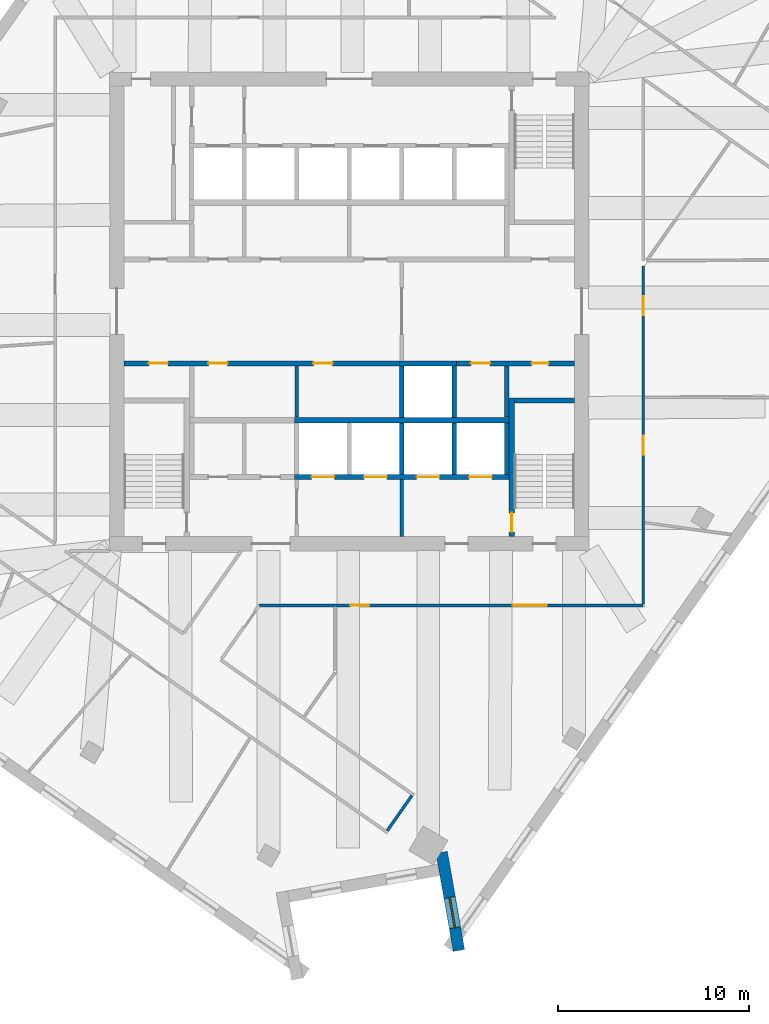
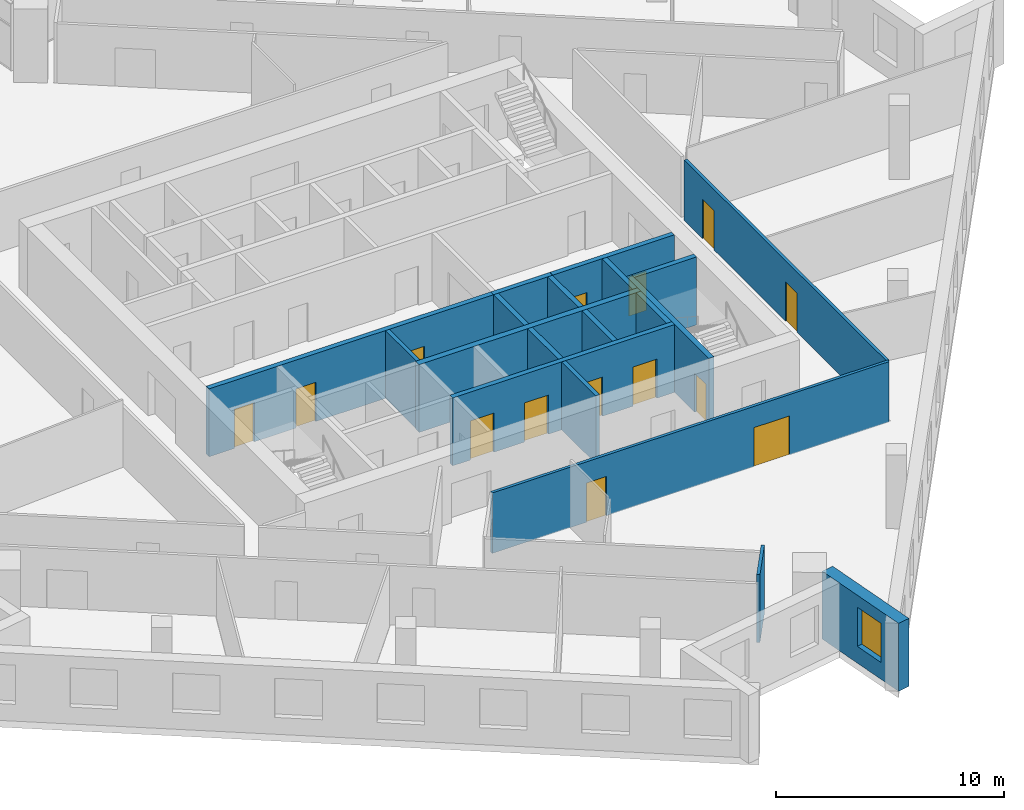
# One storey, part 7 of 13: 19 walls, 14 doors, 1 window, 15 openings.
"""IFC4 building model written with IfcOpenShell, lengths in metres."""

import ifcopenshell
import ifcopenshell.guid

model = None  # the IFC model being written
_history = None  # IfcOwnerHistory: only IFC2X3 demands one
_inside = {}  # id of a spatial element -> (the spatial element, [elements in it])
_under = {}  # id of a project, library or spatial element -> (it, [spatial elements below it])
_declared = {}  # id of a project -> (the project, [libraries it declares])
_typed = {}  # id of a type object -> (the type object, [elements of that type])
_made_of = {}  # id of a material, layer set ... -> (it, [elements and type objects made of it])


def new_model(schema):
    """Start an empty IFC model of exactly this schema.

    Asked for "IFC4X3", IfcOpenShell would pick the latest addendum, in which some entities
    have other attributes; the version numbers below select the first issue.
    IFC2X3 requires an IfcOwnerHistory on every rooted entity: one is made here for all.
    """
    global model, _history
    if schema == "IFC4X3":
        model = ifcopenshell.file(schema_version=(4, 3, 0, 0))
    else:
        model = ifcopenshell.file(schema=schema)
    _inside.clear()
    _under.clear()
    _declared.clear()
    _typed.clear()
    _made_of.clear()
    _history = None
    if model.schema == "IFC2X3":
        org = make("IfcOrganization", Name="unknown")
        user = make(
            "IfcPersonAndOrganization",
            ThePerson=make("IfcPerson", FamilyName="unknown"),
            TheOrganization=org,
        )
        app = make(
            "IfcApplication",
            ApplicationDeveloper=org,
            Version="unknown",
            ApplicationFullName="unknown",
            ApplicationIdentifier="unknown",
        )
        _history = make(
            "IfcOwnerHistory",
            OwningUser=user,
            OwningApplication=app,
            ChangeAction="ADDED",
            CreationDate=0,
        )
    return model


def make(cls, **values):
    """One entity of the class cls with the attributes given. An attribute that is None is left unset."""
    return model.create_entity(
        cls, **{name: value for name, value in values.items() if value is not None}
    )


def rooted(cls, **values):
    """An entity with a GlobalId (a new one), such as an element, a storey or a relation."""
    return make(cls, GlobalId=ifcopenshell.guid.new(), OwnerHistory=_history, **values)


def si_unit(unit_type, name, prefix=None):
    """IfcSIUnit, for example si_unit("LENGTHUNIT", "METRE", prefix="MILLI")."""
    return make("IfcSIUnit", UnitType=unit_type, Prefix=prefix, Name=name)


def assignment(units):
    """IfcUnitAssignment: the units of a project."""
    return None if units is None else make("IfcUnitAssignment", Units=units)


def point(xyz):
    """IfcCartesianPoint."""
    return None if xyz is None else make("IfcCartesianPoint", Coordinates=xyz)


def direction(xyz):
    """IfcDirection."""
    return None if xyz is None else make("IfcDirection", DirectionRatios=xyz)


def frame(location, z_axis=None, x_axis=None):
    """IfcAxis2Placement3D, a coordinate frame: its origin and axes. An axis left out is left unset."""
    return make(
        "IfcAxis2Placement3D",
        Location=point(location),
        Axis=direction(z_axis),
        RefDirection=direction(x_axis),
    )


def frame_2d(location, x_axis=None):
    """IfcAxis2Placement2D, a coordinate frame in the plane: its origin and x axis."""
    return make(
        "IfcAxis2Placement2D", Location=point(location), RefDirection=direction(x_axis)
    )


def origin():
    """The frame at (0, 0, 0) with its axes left unset."""
    return frame((0.0, 0.0, 0.0))


def place(relative_to, where):
    """IfcLocalPlacement: puts the frame where relative to a parent placement (None: the world)."""
    return make(
        "IfcLocalPlacement", PlacementRelTo=relative_to, RelativePlacement=where
    )


def context(
    kind, dimensions, precision=None, world=None, true_north=None, identifier=None
):
    """IfcGeometricRepresentationContext, for example the 3D "Model" context."""
    return make(
        "IfcGeometricRepresentationContext",
        ContextIdentifier=identifier,
        ContextType=kind,
        CoordinateSpaceDimension=dimensions,
        Precision=precision,
        WorldCoordinateSystem=world,
        TrueNorth=true_north,
    )


def subcontext(parent, identifier, kind, view, scale=None):
    """IfcGeometricRepresentationSubContext, for example "Body" below "Model"."""
    return make(
        "IfcGeometricRepresentationSubContext",
        ContextIdentifier=identifier,
        ContextType=kind,
        ParentContext=parent,
        TargetScale=scale,
        TargetView=view,
    )


def project(units=None, contexts=None):
    """IfcProject with its units and contexts."""
    return rooted(
        "IfcProject",
        Name="project",
        RepresentationContexts=contexts,
        UnitsInContext=assignment(units),
    )


def spatial(cls, under=None, at=None, **own):
    """A site, building, storey or space (cls), placed at a placement, below another one or the project."""
    s = rooted(cls, ObjectPlacement=at, **own)
    if under is not None:
        _under.setdefault(under.id(), (under, []))[1].append(s)
    return s


def profile(cls, at=None, kind="AREA", **sizes):
    """A parametric profile (cls). Its sizes go by their IFC names, for example OverallWidth=200.0."""
    return make(cls, ProfileType=kind, Position=at, **sizes)


def rectangle(**sizes):
    """IfcRectangleProfileDef."""
    return profile("IfcRectangleProfileDef", **sizes)


def extrude(swept, where, along, depth):
    """IfcExtrudedAreaSolid: the profile swept, set in the frame where, extruded along a direction by depth."""
    return make(
        "IfcExtrudedAreaSolid",
        SweptArea=swept,
        Position=where,
        ExtrudedDirection=direction(along),
        Depth=depth,
    )


def shape(context_of_items, identifier, shape_type, items):
    """IfcShapeRepresentation: the items that make up one representation, for example the "Body"."""
    return make(
        "IfcShapeRepresentation",
        ContextOfItems=context_of_items,
        RepresentationIdentifier=identifier,
        RepresentationType=shape_type,
        Items=items,
    )


def material(Name=None, Category=None):
    """IfcMaterial."""
    return make("IfcMaterial", Name=Name, Category=Category)


def layer(
    of_material, thickness, ventilated=None, Name=None, Category=None, Priority=None
):
    """IfcMaterialLayer: one layer of a wall or slab, of a material (None: an air gap)."""
    return make(
        "IfcMaterialLayer",
        Material=of_material,
        LayerThickness=thickness,
        IsVentilated=ventilated,
        Name=Name,
        Category=Category,
        Priority=Priority,
    )


def layer_set(layers, Name=None):
    """IfcMaterialLayerSet."""
    return make("IfcMaterialLayerSet", MaterialLayers=layers, LayerSetName=Name)


def made_of(thing, what):
    """Note that an element or type object is made of a material, layer set ...; save() writes the relation."""
    if what is not None:
        _made_of.setdefault(what.id(), (what, []))[1].append(thing)
    return thing


def type_object(cls, material=None, **own):
    """A type object (cls), such as IfcWallType, which elements share."""
    return made_of(rooted(cls, **own), material)


def element(
    cls,
    number,
    at=None,
    inside=None,
    cuts=None,
    type_object=None,
    material=None,
    context=None,
    identifier="Body",
    shape_type=None,
    held_by="IfcProductDefinitionShape",
    body=None,
    shapes=None,
    **own,
):
    """One element of the class cls, such as IfcWall. Its Tag is "e" and its number.

    at: its placement. inside: the storey or other place that contains it. cuts: it is an
    opening in that element (IfcRelVoidsElement). A single representation is given by context,
    identifier, shape_type and body (its items); several are given by shapes. held_by: the class
    of the entity that holds the representations. save() writes the other relations.
    """
    e = rooted(cls, Tag="e%d" % number, ObjectPlacement=at, **own)
    if body is not None:
        shapes = [shape(context, identifier, shape_type, body)]
    if shapes is not None:
        e.Representation = make(held_by, Representations=shapes)
    if inside is not None:
        _inside.setdefault(inside.id(), (inside, []))[1].append(e)
    if cuts is not None:
        rooted(
            "IfcRelVoidsElement", RelatingBuildingElement=cuts, RelatedOpeningElement=e
        )
    if type_object is not None:
        _typed.setdefault(type_object.id(), (type_object, []))[1].append(e)
    return made_of(e, material)


def fill(opening, filler):
    """IfcRelFillsElement: the door or window that sits in an opening."""
    return rooted(
        "IfcRelFillsElement",
        RelatingOpeningElement=opening,
        RelatedBuildingElement=filler,
    )


def aggregate(whole, parts):
    """IfcRelAggregates: a whole, such as a stair, and the parts it consists of."""
    return rooted("IfcRelAggregates", RelatingObject=whole, RelatedObjects=parts)


def save(model, path):
    """Write the relations noted so far, then the file.

    IfcRelAggregates (storeys below a building ...), IfcRelContainedInSpatialStructure (elements
    in a storey), IfcRelDefinesByType, IfcRelAssociatesMaterial and IfcRelDeclares: one each for
    every whole, place, type object, material and project.
    """
    for whole, parts in _under.values():
        aggregate(whole, parts)
    for where, things in _inside.values():
        rooted(
            "IfcRelContainedInSpatialStructure",
            RelatedElements=things,
            RelatingStructure=where,
        )
    for kind, things in _typed.values():
        rooted("IfcRelDefinesByType", RelatedObjects=things, RelatingType=kind)
    for what, things in _made_of.values():
        rooted("IfcRelAssociatesMaterial", RelatedObjects=things, RelatingMaterial=what)
    for by, libraries in _declared.values():
        rooted("IfcRelDeclares", RelatingContext=by, RelatedDefinitions=libraries)
    model.write(path)


model = new_model("IFC4")

# Units and contexts
model_context = context("Model", 3, precision=1e-05, world=origin(), true_north=direction((0.0, 1.0)))
body_context = subcontext(model_context, "Body", "Model", "MODEL_VIEW")
ifc_project = project(units=[si_unit("LENGTHUNIT", "METRE"), si_unit("AREAUNIT", "SQUARE_METRE"), si_unit("VOLUMEUNIT", "CUBIC_METRE"), si_unit("PLANEANGLEUNIT", "RADIAN"), si_unit("MASSUNIT", "GRAM", prefix="KILO")], contexts=[model_context])

# Site, building, storey
site_placement = place(None, origin())
site = spatial("IfcSite", under=ifc_project, at=site_placement, CompositionType="ELEMENT")
building_placement = place(site_placement, origin())
building = spatial("IfcBuilding", under=site, at=building_placement, Name="Dilmun Exchange Tower", CompositionType="ELEMENT")
storey_placement = place(building_placement, frame((0.0, 0.0, 242.89990234375)))
storey = spatial("IfcBuildingStorey", under=building, at=storey_placement, Name="L57", CompositionType="ELEMENT", Elevation=242.89990234375)

# Walls
ifc_material_1 = material(Name="Concrete C40/50", Category="concrete")
ifc_layer_1 = layer(ifc_material_1, 0.199951171875)
ifc_layer_set_1 = layer_set([ifc_layer_1], Name="Concrete C40/50")
wall_type_1 = type_object("IfcWallType", Name="Core partition wall 200", PredefinedType="PARTITIONING", material=ifc_layer_set_1)
wall_1_placement = place(storey_placement, frame((2.75, -11.794921875, 0.0), z_axis=(0.0, 0.0, 1.0), x_axis=(0.0, 1.0, 0.0)))
element("IfcWall", 1, at=wall_1_placement, inside=storey, type_object=wall_type_1, Name="L57 core partition wall 02", PredefinedType="PARTITIONING", context=body_context, shape_type="SweptSolid", body=[
    extrude(rectangle(XDim=2.989990234375, YDim=0.199951171875, at=frame_2d((1.4951171875, 0.0))), origin(), (0.0, 0.0, 1.0), 3.64013671875),
])
wall_2_placement = place(storey_placement, frame((-2.75, -5.544921875, 0.0), z_axis=(0.0, 0.0, 1.0), x_axis=(0.0, 1.0, 0.0)))
element("IfcWall", 2, at=wall_2_placement, inside=storey, type_object=wall_type_1, Name="L57 core partition wall 08", PredefinedType="PARTITIONING", context=body_context, shape_type="SweptSolid", body=[
    extrude(rectangle(XDim=2.68994140625, YDim=0.199951171875, at=frame_2d((1.344970703125, 0.0))), origin(), (0.0, 0.0, 1.0), 3.64013671875),
])
ifc_layer_2 = layer(ifc_material_1, 0.25)
ifc_layer_set_2 = layer_set([ifc_layer_2], Name="Concrete C40/50")
wall_type_2 = type_object("IfcWallType", Name="Core partition wall 250", PredefinedType="PARTITIONING", material=ifc_layer_set_2)
wall_3_placement = place(storey_placement, frame((8.25, -5.544921875, 0.0), z_axis=(0.0, 0.0, 1.0), x_axis=(0.0, 1.0, 0.0)))
element("IfcWall", 3, at=wall_3_placement, inside=storey, type_object=wall_type_2, Name="L57 core partition wall 09", PredefinedType="PARTITIONING", context=body_context, shape_type="SweptSolid", body=[
    extrude(rectangle(XDim=2.68994140625, YDim=0.25, at=frame_2d((1.344970703125, 0.0))), origin(), (0.0, 0.0, 1.0), 3.64013671875),
])

# Wall, openings, doors
wall_4_placement = place(storey_placement, frame((-11.794921875, -2.72509765625, 0.0), z_axis=(0.0, 0.0, 1.0), x_axis=(1.0, 0.0, 0.0)))
wall_4 = element("IfcWall", 4, at=wall_4_placement, inside=storey, type_object=wall_type_2, Name="L57 core partition wall 10", PredefinedType="PARTITIONING", context=body_context, shape_type="SweptSolid", body=[
    extrude(rectangle(XDim=14.4150390625, YDim=0.25, at=frame_2d((7.20751953125, 0.0))), origin(), (0.0, 0.0, 1.0), 3.64013671875),
])
opening_1_placement = place(wall_4_placement, frame((1.294921875, 0.0, 0.0)))
opening_1 = element("IfcOpeningElement", 5, at=opening_1_placement, cuts=wall_4, Name="Opening CD4", PredefinedType="OPENING", context=body_context, shape_type="SweptSolid", body=[
    extrude(rectangle(XDim=1.0, YDim=2.10009765625, at=frame_2d((0.5, 1.050048828125))), frame((0.0, 0.135009765625, 0.0), z_axis=(0.0, -1.0, 0.0), x_axis=(1.0, 0.0, 0.0)), (0.0, 0.0, 1.0), 0.27001953125),
])
opening_2_placement = place(wall_4_placement, frame((4.419921875, 0.0, 0.0)))
opening_2 = element("IfcOpeningElement", 6, at=opening_2_placement, cuts=wall_4, Name="Opening CD4", PredefinedType="OPENING", context=body_context, shape_type="SweptSolid", body=[
    extrude(rectangle(XDim=1.0, YDim=2.10009765625, at=frame_2d((0.5, 1.050048828125))), frame((0.0, 0.135009765625, 0.0), z_axis=(0.0, -1.0, 0.0), x_axis=(1.0, 0.0, 0.0)), (0.0, 0.0, 1.0), 0.27001953125),
])
opening_3_placement = place(wall_4_placement, frame((9.919921875, 0.0, 0.0)))
opening_3 = element("IfcOpeningElement", 7, at=opening_3_placement, cuts=wall_4, Name="Opening CD4", PredefinedType="OPENING", context=body_context, shape_type="SweptSolid", body=[
    extrude(rectangle(XDim=1.0, YDim=2.10009765625, at=frame_2d((0.5, 1.050048828125))), frame((0.0, 0.135009765625, 0.0), z_axis=(0.0, -1.0, 0.0), x_axis=(1.0, 0.0, 0.0)), (0.0, 0.0, 1.0), 0.27001953125),
])
ifc_material_2 = material(Name="Fire-rated steel door set", Category="steel")
door_type_1 = type_object("IfcDoorType", Name="Core room door 1000x2100", OperationType="SINGLE_SWING_LEFT", PredefinedType="DOOR", material=ifc_material_2)
door_1_placement = place(opening_1_placement, origin())
door_1 = element("IfcDoor", 8, at=door_1_placement, inside=storey, type_object=door_type_1, Name="L57 door Accessible WC", OperationType="SINGLE_SWING_RIGHT", OverallHeight=2.10009765625, OverallWidth=1.0, PredefinedType="DOOR", context=body_context, shape_type="SweptSolid", body=[
    extrude(rectangle(XDim=1.0, YDim=2.10009765625, at=frame_2d((0.5, 1.050048828125))), frame((0.0, 0.02490234375, 0.0), z_axis=(0.0, -1.0, 0.0), x_axis=(1.0, 0.0, 0.0)), (0.0, 0.0, 1.0), 0.050048828125),
])
fill(opening_1, door_1)
door_2_placement = place(opening_2_placement, origin())
door_2 = element("IfcDoor", 9, at=door_2_placement, inside=storey, type_object=door_type_1, Name="L57 door Mechanical room", OperationType="SINGLE_SWING_RIGHT", OverallHeight=2.10009765625, OverallWidth=1.0, PredefinedType="DOOR", context=body_context, shape_type="SweptSolid", body=[
    extrude(rectangle(XDim=1.0, YDim=2.10009765625, at=frame_2d((0.5, 1.050048828125))), frame((0.0, 0.02490234375, 0.0), z_axis=(0.0, -1.0, 0.0), x_axis=(1.0, 0.0, 0.0)), (0.0, 0.0, 1.0), 0.050048828125),
])
fill(opening_2, door_2)
door_3_placement = place(opening_3_placement, origin())
door_3 = element("IfcDoor", 10, at=door_3_placement, inside=storey, type_object=door_type_1, Name="L57 door Tenant services room", OperationType="SINGLE_SWING_RIGHT", OverallHeight=2.10009765625, OverallWidth=1.0, PredefinedType="DOOR", context=body_context, shape_type="SweptSolid", body=[
    extrude(rectangle(XDim=1.0, YDim=2.10009765625, at=frame_2d((0.5, 1.050048828125))), frame((0.0, 0.02490234375, 0.0), z_axis=(0.0, -1.0, 0.0), x_axis=(1.0, 0.0, 0.0)), (0.0, 0.0, 1.0), 0.050048828125),
])
fill(opening_3, door_3)

wall_5_placement = place(storey_placement, frame((5.6298828125, -2.72509765625, 0.0), z_axis=(0.0, 0.0, 1.0), x_axis=(1.0, 0.0, 0.0)))
wall_5 = element("IfcWall", 11, at=wall_5_placement, inside=storey, type_object=wall_type_2, Name="L57 core partition wall 11", PredefinedType="PARTITIONING", context=body_context, shape_type="SweptSolid", body=[
    extrude(rectangle(XDim=6.1650390625, YDim=0.25, at=frame_2d((3.08251953125, 0.0))), origin(), (0.0, 0.0, 1.0), 3.64013671875),
])
opening_4_placement = place(wall_5_placement, frame((0.7451171875, 0.0, 0.0)))
opening_4 = element("IfcOpeningElement", 12, at=opening_4_placement, cuts=wall_5, Name="Opening CD4", PredefinedType="OPENING", context=body_context, shape_type="SweptSolid", body=[
    extrude(rectangle(XDim=1.0, YDim=2.10009765625, at=frame_2d((0.5, 1.050048828125))), frame((0.0, 0.135009765625, 0.0), z_axis=(0.0, -1.0, 0.0), x_axis=(1.0, 0.0, 0.0)), (0.0, 0.0, 1.0), 0.27001953125),
])
opening_5_placement = place(wall_5_placement, frame((3.919921875, 0.0, 0.0)))
opening_5 = element("IfcOpeningElement", 13, at=opening_5_placement, cuts=wall_5, Name="Opening CD6", PredefinedType="OPENING", context=body_context, shape_type="SweptSolid", body=[
    extrude(rectangle(XDim=0.89990234375, YDim=2.10009765625, at=frame_2d((0.449951171875, 1.050048828125))), frame((0.0, 0.135009765625, 0.0), z_axis=(0.0, -1.0, 0.0), x_axis=(1.0, 0.0, 0.0)), (0.0, 0.0, 1.0), 0.27001953125),
])
door_4_placement = place(opening_4_placement, origin())
door_4 = element("IfcDoor", 14, at=door_4_placement, inside=storey, type_object=door_type_1, Name="L57 door Cleaners' store", OperationType="SINGLE_SWING_RIGHT", OverallHeight=2.10009765625, OverallWidth=1.0, PredefinedType="DOOR", context=body_context, shape_type="SweptSolid", body=[
    extrude(rectangle(XDim=1.0, YDim=2.10009765625, at=frame_2d((0.5, 1.050048828125))), frame((0.0, 0.02490234375, 0.0), z_axis=(0.0, -1.0, 0.0), x_axis=(1.0, 0.0, 0.0)), (0.0, 0.0, 1.0), 0.050048828125),
])
fill(opening_4, door_4)
door_type_2 = type_object("IfcDoorType", Name="Core room door 900x2100", OperationType="SINGLE_SWING_LEFT", PredefinedType="DOOR", material=ifc_material_2)
door_5_placement = place(opening_5_placement, origin())
door_5 = element("IfcDoor", 15, at=door_5_placement, inside=storey, type_object=door_type_2, Name="L57 door Comms riser", OperationType="SINGLE_SWING_RIGHT", OverallHeight=2.10009765625, OverallWidth=0.89990234375, PredefinedType="DOOR", context=body_context, shape_type="SweptSolid", body=[
    extrude(rectangle(XDim=0.89990234375, YDim=2.10009765625, at=frame_2d((0.449951171875, 1.050048828125))), frame((0.0, 0.02490234375, 0.0), z_axis=(0.0, -1.0, 0.0), x_axis=(1.0, 0.0, 0.0)), (0.0, 0.0, 1.0), 0.050048828125),
])
fill(opening_5, door_5)

ifc_material_3 = material(Name="Corridor wall 150")
ifc_layer_3 = layer(ifc_material_3, 0.14990234375)
ifc_layer_set_3 = layer_set([ifc_layer_3], Name="Corridor wall 150")
wall_type_3 = type_object("IfcWallType", Name="Corridor wall 150", PredefinedType="PARTITIONING", material=ifc_layer_set_3)
wall_6_placement = place(storey_placement, frame((-4.722900390625, -15.39990234375, 0.0), z_axis=(0.0, 0.0, 1.0), x_axis=(1.0, 0.0, 0.0)))
wall_6 = element("IfcWall", 16, at=wall_6_placement, inside=storey, type_object=wall_type_3, Name="Corridor wall", PredefinedType="PARTITIONING", context=body_context, shape_type="SweptSolid", body=[
    extrude(rectangle(XDim=20.122802734375, YDim=0.14990234375, at=frame_2d((10.0615234375, 0.0))), origin(), (0.0, 0.0, 1.0), 3.239990234375),
])
opening_6_placement = place(wall_6_placement, frame((13.28173828125, 0.0, 0.0)))
opening_6 = element("IfcOpeningElement", 17, at=opening_6_placement, cuts=wall_6, Name="Opening TF57-D10", PredefinedType="OPENING", context=body_context, shape_type="SweptSolid", body=[
    extrude(rectangle(XDim=1.800048828125, YDim=2.10009765625, at=frame_2d((0.89990234375, 1.050048828125))), frame((0.0, 0.0849609375, 0.0), z_axis=(0.0, -1.0, 0.0), x_axis=(1.0, 0.0, 0.0)), (0.0, 0.0, 1.0), 0.169921875),
])
opening_7_placement = place(wall_6_placement, frame((4.78173828125, 0.0, 0.0)))
opening_7 = element("IfcOpeningElement", 18, at=opening_7_placement, cuts=wall_6, Name="Opening TF57-D11", PredefinedType="OPENING", context=body_context, shape_type="SweptSolid", body=[
    extrude(rectangle(XDim=1.0, YDim=2.10009765625, at=frame_2d((0.5, 1.050048828125))), frame((0.0, 0.0849609375, 0.0), z_axis=(0.0, -1.0, 0.0), x_axis=(1.0, 0.0, 0.0)), (0.0, 0.0, 1.0), 0.169921875),
])
ifc_material_4 = material(Name="Fire door 1000 x 2100")
door_type_3 = type_object("IfcDoorType", Name="Fire door 1000 x 2100", OperationType="NOTDEFINED", PredefinedType="DOOR", material=ifc_material_4)
door_6_placement = place(opening_7_placement, frame((1.0, 0.0, 0.0), z_axis=(0.0, 0.0, 1.0), x_axis=(-1.0, 0.0, 0.0)))
door_6 = element("IfcDoor", 19, at=door_6_placement, inside=storey, type_object=door_type_3, Name="Door TF57-D11", OperationType="SINGLE_SWING_RIGHT", OverallHeight=2.10009765625, OverallWidth=1.0, PredefinedType="DOOR", context=body_context, shape_type="SweptSolid", body=[
    extrude(rectangle(XDim=1.0, YDim=2.10009765625, at=frame_2d((0.5, 1.050048828125))), frame((0.0, 0.02490234375, 0.0), z_axis=(0.0, -1.0, 0.0), x_axis=(1.0, 0.0, 0.0)), (0.0, 0.0, 1.0), 0.050048828125),
])
fill(opening_7, door_6)
ifc_material_5 = material(Name="Fire door pair 1800 x 2100")
door_type_4 = type_object("IfcDoorType", Name="Fire door pair 1800 x 2100", OperationType="NOTDEFINED", PredefinedType="DOOR", material=ifc_material_5)
door_7_placement = place(opening_6_placement, frame((1.800048828125, 0.0, 0.0), z_axis=(0.0, 0.0, 1.0), x_axis=(-1.0, 0.0, 0.0)))
door_7 = element("IfcDoor", 20, at=door_7_placement, inside=storey, type_object=door_type_4, Name="Door TF57-D10", OperationType="DOUBLE_DOOR_SINGLE_SWING", OverallHeight=2.10009765625, OverallWidth=1.800048828125, PredefinedType="DOOR", context=body_context, shape_type="SweptSolid", body=[
    extrude(rectangle(XDim=1.800048828125, YDim=2.10009765625, at=frame_2d((0.89990234375, 1.050048828125))), frame((0.0, 0.02490234375, 0.0), z_axis=(0.0, -1.0, 0.0), x_axis=(1.0, 0.0, 0.0)), (0.0, 0.0, 1.0), 0.050048828125),
])
fill(opening_6, door_7)

# Wall
wall_7_placement = place(storey_placement, frame((1.993896484375, -27.20751953125, 0.0), z_axis=(0.0, 0.0, 1.0), x_axis=(0.573440493702, 0.819247215548, 0.0)))
element("IfcWall", 21, at=wall_7_placement, inside=storey, type_object=wall_type_3, Name="Corridor wall", PredefinedType="PARTITIONING", context=body_context, shape_type="SweptSolid", body=[
    extrude(rectangle(XDim=2.249755859375, YDim=0.14990234375, at=frame_2d((1.125, 0.0))), origin(), (0.0, 0.0, 1.0), 3.64013671875),
])

# Wall, openings, doors
wall_8_placement = place(storey_placement, frame((15.39990234375, -15.324951171875, 0.0), z_axis=(0.0, 0.0, 1.0), x_axis=(0.0, 1.0, 0.0)))
wall_8 = element("IfcWall", 22, at=wall_8_placement, inside=storey, type_object=wall_type_3, Name="Corridor wall", PredefinedType="PARTITIONING", context=body_context, shape_type="SweptSolid", body=[
    extrude(rectangle(XDim=17.71484375, YDim=0.14990234375, at=frame_2d((8.857421875, 0.0))), origin(), (0.0, 0.0, 1.0), 3.239990234375),
])
opening_8_placement = place(wall_8_placement, frame((7.81201171875, 0.0, 0.0)))
opening_8 = element("IfcOpeningElement", 23, at=opening_8_placement, cuts=wall_8, Name="Opening TF57-D17", PredefinedType="OPENING", context=body_context, shape_type="SweptSolid", body=[
    extrude(rectangle(XDim=1.0, YDim=2.10009765625, at=frame_2d((0.5, 1.050048828125))), frame((0.0, 0.0849609375, 0.0), z_axis=(0.0, -1.0, 0.0), x_axis=(1.0, 0.0, 0.0)), (0.0, 0.0, 1.0), 0.169921875),
])
opening_9_placement = place(wall_8_placement, frame((15.12255859375, 0.0, 0.0)))
opening_9 = element("IfcOpeningElement", 24, at=opening_9_placement, cuts=wall_8, Name="Opening TF57-D18", PredefinedType="OPENING", context=body_context, shape_type="SweptSolid", body=[
    extrude(rectangle(XDim=1.0, YDim=2.10009765625, at=frame_2d((0.5, 1.050048828125))), frame((0.0, 0.0849609375, 0.0), z_axis=(0.0, -1.0, 0.0), x_axis=(1.0, 0.0, 0.0)), (0.0, 0.0, 1.0), 0.169921875),
])
door_8_placement = place(opening_8_placement, frame((1.0, 0.0, 0.0), z_axis=(0.0, 0.0, 1.0), x_axis=(-1.0, 0.0, 0.0)))
door_8 = element("IfcDoor", 25, at=door_8_placement, inside=storey, type_object=door_type_3, Name="Door TF57-D17", OperationType="SINGLE_SWING_RIGHT", OverallHeight=2.10009765625, OverallWidth=1.0, PredefinedType="DOOR", context=body_context, shape_type="SweptSolid", body=[
    extrude(rectangle(XDim=1.0, YDim=2.10009765625, at=frame_2d((0.5, 1.050048828125))), frame((0.0, 0.02490234375, 0.0), z_axis=(0.0, -1.0, 0.0), x_axis=(1.0, 0.0, 0.0)), (0.0, 0.0, 1.0), 0.050048828125),
])
fill(opening_8, door_8)
door_9_placement = place(opening_9_placement, frame((1.0, 0.0, 0.0), z_axis=(0.0, 0.0, 1.0), x_axis=(-1.0, 0.0, 0.0)))
door_9 = element("IfcDoor", 26, at=door_9_placement, inside=storey, type_object=door_type_3, Name="Door TF57-D18", OperationType="SINGLE_SWING_RIGHT", OverallHeight=2.10009765625, OverallWidth=1.0, PredefinedType="DOOR", context=body_context, shape_type="SweptSolid", body=[
    extrude(rectangle(XDim=1.0, YDim=2.10009765625, at=frame_2d((0.5, 1.050048828125))), frame((0.0, 0.02490234375, 0.0), z_axis=(0.0, -1.0, 0.0), x_axis=(1.0, 0.0, 0.0)), (0.0, 0.0, 1.0), 0.050048828125),
])
fill(opening_9, door_9)

# Walls
ifc_layer_4 = layer(ifc_material_1, 0.300048828125)
ifc_layer_set_4 = layer_set([ifc_layer_4], Name="Concrete C40/50")
wall_type_4 = type_object("IfcWallType", Name="Lift shaft shared wall 300", PredefinedType="SOLIDWALL", material=ifc_layer_set_4)
wall_9_placement = place(storey_placement, frame((-2.875, -5.699951171875, 0.0), z_axis=(0.0, 0.0, 1.0), x_axis=(1.0, 0.0, 0.0)))
element("IfcWall", 27, at=wall_9_placement, inside=storey, type_object=wall_type_4, Name="L57 lift shaft rear wall S", PredefinedType="SOLIDWALL", context=body_context, shape_type="SweptSolid", body=[
    extrude(rectangle(XDim=11.25, YDim=0.300048828125, at=frame_2d((5.625, 0.0))), origin(), (0.0, 0.0, 1.0), 3.64013671875),
])
ifc_layer_5 = layer(ifc_material_1, 0.25)
ifc_layer_set_5 = layer_set([ifc_layer_5], Name="Concrete C40/50")
wall_type_5 = type_object("IfcWallType", Name="Lift shaft wall 250", PredefinedType="SOLIDWALL", material=ifc_layer_set_5)
wall_10_placement = place(storey_placement, frame((2.625, -2.72509765625, 0.0), z_axis=(0.0, 0.0, 1.0), x_axis=(1.0, 0.0, 0.0)))
element("IfcWall", 28, at=wall_10_placement, inside=storey, type_object=wall_type_5, Name="L57 lift shaft front wall S1", PredefinedType="SOLIDWALL", context=body_context, shape_type="SweptSolid", body=[
    extrude(rectangle(XDim=3.0, YDim=0.25, at=frame_2d((1.5, 0.0))), origin(), (0.0, 0.0, 1.0), 3.64013671875),
])
for number, where, z_axis, x_axis, name in (
    (29, (2.75, -5.550048828125, 0.0), (0.0, 0.0, 1.0), (0.0, 1.0, 0.0), "L57 lift shaft divider S14"),
    (30, (5.5, -5.550048828125, 0.0), (0.0, 0.0, 1.0), (0.0, 1.0, 0.0), "L57 lift shaft divider S15"),
):
    element("IfcWall", number, at=place(storey_placement, frame(where, z_axis=z_axis, x_axis=x_axis)), inside=storey, type_object=wall_type_5, Name=name, PredefinedType="SOLIDWALL", context=body_context, shape_type="SweptSolid", body=[
        extrude(rectangle(XDim=2.699951171875, YDim=0.25, at=frame_2d((1.35009765625, 0.0))), origin(), (0.0, 0.0, 1.0), 3.64013671875),
    ])

# Wall, openings, doors
wall_11_placement = place(storey_placement, frame((-2.875, -8.675048828125, 0.0), z_axis=(0.0, 0.0, 1.0), x_axis=(1.0, 0.0, 0.0)))
wall_11 = element("IfcWall", 31, at=wall_11_placement, inside=storey, type_object=wall_type_5, Name="L57 lift shaft front wall S2", PredefinedType="SOLIDWALL", context=body_context, shape_type="SweptSolid", body=[
    extrude(rectangle(XDim=11.25, YDim=0.25, at=frame_2d((5.625, 0.0))), origin(), (0.0, 0.0, 1.0), 3.64013671875),
])
opening_10_placement = place(wall_11_placement, frame((0.89990234375, 0.0, 0.0)))
opening_10 = element("IfcOpeningElement", 32, at=opening_10_placement, cuts=wall_11, Name="Opening LD", PredefinedType="OPENING", context=body_context, shape_type="SweptSolid", body=[
    extrude(rectangle(XDim=1.199951171875, YDim=2.10009765625, at=frame_2d((0.60009765625, 1.050048828125))), frame((0.0, 0.135009765625, 0.0), z_axis=(0.0, -1.0, 0.0), x_axis=(1.0, 0.0, 0.0)), (0.0, 0.0, 1.0), 0.27001953125),
])
opening_11_placement = place(wall_11_placement, frame((3.64990234375, 0.0, 0.0)))
opening_11 = element("IfcOpeningElement", 33, at=opening_11_placement, cuts=wall_11, Name="Opening LD", PredefinedType="OPENING", context=body_context, shape_type="SweptSolid", body=[
    extrude(rectangle(XDim=1.199951171875, YDim=2.10009765625, at=frame_2d((0.60009765625, 1.050048828125))), frame((0.0, 0.135009765625, 0.0), z_axis=(0.0, -1.0, 0.0), x_axis=(1.0, 0.0, 0.0)), (0.0, 0.0, 1.0), 0.27001953125),
])
opening_12_placement = place(wall_11_placement, frame((6.39990234375, 0.0, 0.0)))
opening_12 = element("IfcOpeningElement", 34, at=opening_12_placement, cuts=wall_11, Name="Opening LD", PredefinedType="OPENING", context=body_context, shape_type="SweptSolid", body=[
    extrude(rectangle(XDim=1.199951171875, YDim=2.10009765625, at=frame_2d((0.60009765625, 1.050048828125))), frame((0.0, 0.135009765625, 0.0), z_axis=(0.0, -1.0, 0.0), x_axis=(1.0, 0.0, 0.0)), (0.0, 0.0, 1.0), 0.27001953125),
])
opening_13_placement = place(wall_11_placement, frame((9.14990234375, 0.0, 0.0)))
opening_13 = element("IfcOpeningElement", 35, at=opening_13_placement, cuts=wall_11, Name="Opening LD", PredefinedType="OPENING", context=body_context, shape_type="SweptSolid", body=[
    extrude(rectangle(XDim=1.199951171875, YDim=2.10009765625, at=frame_2d((0.60009765625, 1.050048828125))), frame((0.0, 0.135009765625, 0.0), z_axis=(0.0, -1.0, 0.0), x_axis=(1.0, 0.0, 0.0)), (0.0, 0.0, 1.0), 0.27001953125),
])
door_type_5 = type_object("IfcDoorType", Name="Lift landing door 1200x2100", OperationType="DOUBLE_DOOR_SLIDING", PredefinedType="DOOR", material=ifc_material_2)
door_10_placement = place(opening_10_placement, origin())
door_10 = element("IfcDoor", 36, at=door_10_placement, inside=storey, type_object=door_type_5, Name="L57 landing door SV1", OperationType="DOUBLE_DOOR_SLIDING", OverallHeight=2.10009765625, OverallWidth=1.199951171875, PredefinedType="DOOR", context=body_context, shape_type="SweptSolid", body=[
    extrude(rectangle(XDim=1.199951171875, YDim=2.10009765625, at=frame_2d((0.60009765625, 1.050048828125))), frame((0.0, 0.02490234375, 0.0), z_axis=(0.0, -1.0, 0.0), x_axis=(1.0, 0.0, 0.0)), (0.0, 0.0, 1.0), 0.050048828125),
])
fill(opening_10, door_10)
door_11_placement = place(opening_11_placement, origin())
door_11 = element("IfcDoor", 37, at=door_11_placement, inside=storey, type_object=door_type_5, Name="L57 landing door SV2", OperationType="DOUBLE_DOOR_SLIDING", OverallHeight=2.10009765625, OverallWidth=1.199951171875, PredefinedType="DOOR", context=body_context, shape_type="SweptSolid", body=[
    extrude(rectangle(XDim=1.199951171875, YDim=2.10009765625, at=frame_2d((0.60009765625, 1.050048828125))), frame((0.0, 0.02490234375, 0.0), z_axis=(0.0, -1.0, 0.0), x_axis=(1.0, 0.0, 0.0)), (0.0, 0.0, 1.0), 0.050048828125),
])
fill(opening_11, door_11)
door_12_placement = place(opening_12_placement, origin())
door_12 = element("IfcDoor", 38, at=door_12_placement, inside=storey, type_object=door_type_5, Name="L57 landing door FF1", OperationType="DOUBLE_DOOR_SLIDING", OverallHeight=2.10009765625, OverallWidth=1.199951171875, PredefinedType="DOOR", context=body_context, shape_type="SweptSolid", body=[
    extrude(rectangle(XDim=1.199951171875, YDim=2.10009765625, at=frame_2d((0.60009765625, 1.050048828125))), frame((0.0, 0.02490234375, 0.0), z_axis=(0.0, -1.0, 0.0), x_axis=(1.0, 0.0, 0.0)), (0.0, 0.0, 1.0), 0.050048828125),
])
fill(opening_12, door_12)
door_13_placement = place(opening_13_placement, origin())
door_13 = element("IfcDoor", 39, at=door_13_placement, inside=storey, type_object=door_type_5, Name="L57 landing door FF2", OperationType="DOUBLE_DOOR_SLIDING", OverallHeight=2.10009765625, OverallWidth=1.199951171875, PredefinedType="DOOR", context=body_context, shape_type="SweptSolid", body=[
    extrude(rectangle(XDim=1.199951171875, YDim=2.10009765625, at=frame_2d((0.60009765625, 1.050048828125))), frame((0.0, 0.02490234375, 0.0), z_axis=(0.0, -1.0, 0.0), x_axis=(1.0, 0.0, 0.0)), (0.0, 0.0, 1.0), 0.050048828125),
])
fill(opening_13, door_13)

# Walls
for number, where, z_axis, x_axis, name in (
    (40, (2.75, -8.550048828125, 0.0), (0.0, 0.0, 1.0), (0.0, 1.0, 0.0), "L57 lift shaft divider S24"),
    (41, (5.5, -8.550048828125, 0.0), (0.0, 0.0, 1.0), (0.0, 1.0, 0.0), "L57 lift shaft divider S25"),
    (42, (8.25, -8.550048828125, 0.0), (0.0, 0.0, 1.0), (0.0, 1.0, 0.0), "L57 lift shaft divider S26"),
):
    element("IfcWall", number, at=place(storey_placement, frame(where, z_axis=z_axis, x_axis=x_axis)), inside=storey, type_object=wall_type_5, Name=name, PredefinedType="SOLIDWALL", context=body_context, shape_type="SweptSolid", body=[
        extrude(rectangle(XDim=2.699951171875, YDim=0.25, at=frame_2d((1.35009765625, 0.0))), origin(), (0.0, 0.0, 1.0), 3.64013671875),
    ])

# Wall, opening, window
ifc_material_6 = material(Name="Precast concrete C50/60", Category="concrete")
ifc_layer_6 = layer(ifc_material_6, 0.60009765625)
ifc_layer_set_6 = layer_set([ifc_layer_6], Name="Precast concrete C50/60")
wall_type_6 = type_object("IfcWallType", Name="Precast stone-clad wall 600", PredefinedType="STANDARD", material=ifc_layer_set_6)
wall_12_placement = place(storey_placement, frame((4.840087890625, -28.341796875, 0.0), z_axis=(0.0, 0.0, 1.0), x_axis=(0.173659930291, -0.984805680635, 0.0)))
wall_12 = element("IfcWall", 43, at=wall_12_placement, inside=storey, type_object=wall_type_6, Name="Facade wall L57-10", PredefinedType="STANDARD", context=body_context, shape_type="SweptSolid", body=[
    extrude(rectangle(XDim=5.219970703125, YDim=0.60009765625, at=frame_2d((2.60986328125, 0.0))), origin(), (0.0, 0.0, 1.0), 3.64013671875),
])
opening_14_placement = place(wall_12_placement, frame((2.402099609375, 0.0, 0.89990234375)))
opening_14 = element("IfcOpeningElement", 44, at=opening_14_placement, cuts=wall_12, Name="Opening W160-210", PredefinedType="OPENING", context=body_context, shape_type="SweptSolid", body=[
    extrude(rectangle(XDim=1.60009765625, YDim=2.10009765625, at=frame_2d((0.800048828125, 1.050048828125))), frame((0.0, 0.31005859375, 0.0), z_axis=(0.0, -1.0, 0.0), x_axis=(1.0, 0.0, 0.0)), (0.0, 0.0, 1.0), 0.6201171875),
])
ifc_material_7 = material(Name="Clear low-emissivity glass in aluminium frame", Category="aluminium")
window_type = type_object("IfcWindowType", Name="Punched window 1600 x 2100", PartitioningType="DOUBLE_PANEL_VERTICAL", PredefinedType="WINDOW", material=ifc_material_7)
window_placement = place(opening_14_placement, origin())
window = element("IfcWindow", 45, at=window_placement, inside=storey, type_object=window_type, Name="Window 11.1", OverallHeight=2.10009765625, OverallWidth=1.60009765625, PartitioningType="SINGLE_PANEL", PredefinedType="WINDOW", context=body_context, shape_type="SweptSolid", body=[
    extrude(rectangle(XDim=1.60009765625, YDim=2.10009765625, at=frame_2d((0.800048828125, 1.050048828125))), frame((0.0, 0.030029296875, 0.0), z_axis=(0.0, -1.0, 0.0), x_axis=(1.0, 0.0, 0.0)), (0.0, 0.0, 1.0), 0.06005859375),
])
fill(opening_14, window)

# Wall
ifc_layer_7 = layer(ifc_material_1, 0.25)
ifc_layer_set_7 = layer_set([ifc_layer_7], Name="Concrete C40/50")
wall_type_7 = type_object("IfcWallType", Name="Stair end wall 250", PredefinedType="SOLIDWALL", material=ifc_layer_set_7)
wall_13_placement = place(storey_placement, frame((8.64990234375, -4.675048828125, 0.0), z_axis=(0.0, 0.0, 1.0), x_axis=(1.0, 0.0, 0.0)))
element("IfcWall", 46, at=wall_13_placement, inside=storey, type_object=wall_type_7, Name="L57 ST3 far wall", PredefinedType="SOLIDWALL", context=body_context, shape_type="SweptSolid", body=[
    extrude(rectangle(XDim=3.150146484375, YDim=0.25, at=frame_2d((1.5751953125, 0.0))), origin(), (0.0, 0.0, 1.0), 3.64013671875),
])

# Wall, opening, door
ifc_layer_8 = layer(ifc_material_1, 0.27490234375)
ifc_layer_set_8 = layer_set([ifc_layer_8], Name="Concrete C40/50")
wall_type_8 = type_object("IfcWallType", Name="Stair wall 275", PredefinedType="SOLIDWALL", material=ifc_layer_set_8)
wall_14_placement = place(storey_placement, frame((8.512451171875, -4.550048828125, 0.0), z_axis=(0.0, 0.0, 1.0), x_axis=(0.0, -1.0, 0.0)))
wall_14 = element("IfcWall", 47, at=wall_14_placement, inside=storey, type_object=wall_type_8, Name="L57 ST3 wall to lift block", PredefinedType="SOLIDWALL", context=body_context, shape_type="SweptSolid", body=[
    extrude(rectangle(XDim=7.25, YDim=0.27490234375, at=frame_2d((3.625, 0.0))), origin(), (0.0, 0.0, 1.0), 3.64013671875),
])
opening_15_placement = place(wall_14_placement, frame((6.0, 0.0, 0.0)))
opening_15 = element("IfcOpeningElement", 48, at=opening_15_placement, cuts=wall_14, Name="Opening CD4", PredefinedType="OPENING", context=body_context, shape_type="SweptSolid", body=[
    extrude(rectangle(XDim=1.0, YDim=2.10009765625, at=frame_2d((0.5, 1.050048828125))), frame((0.0, 0.1474609375, 0.0), z_axis=(0.0, -1.0, 0.0), x_axis=(1.0, 0.0, 0.0)), (0.0, 0.0, 1.0), 0.294921875),
])
door_14_placement = place(opening_15_placement, origin())
door_14 = element("IfcDoor", 49, at=door_14_placement, inside=storey, type_object=door_type_1, Name="L57 door ST3 from lobby", OperationType="SINGLE_SWING_LEFT", OverallHeight=2.10009765625, OverallWidth=1.0, PredefinedType="DOOR", context=body_context, shape_type="SweptSolid", body=[
    extrude(rectangle(XDim=1.0, YDim=2.10009765625, at=frame_2d((0.5, 1.050048828125))), frame((0.0, 0.02490234375, 0.0), z_axis=(0.0, -1.0, 0.0), x_axis=(1.0, 0.0, 0.0)), (0.0, 0.0, 1.0), 0.050048828125),
])
fill(opening_15, door_14)

save(model, "model.ifc")
